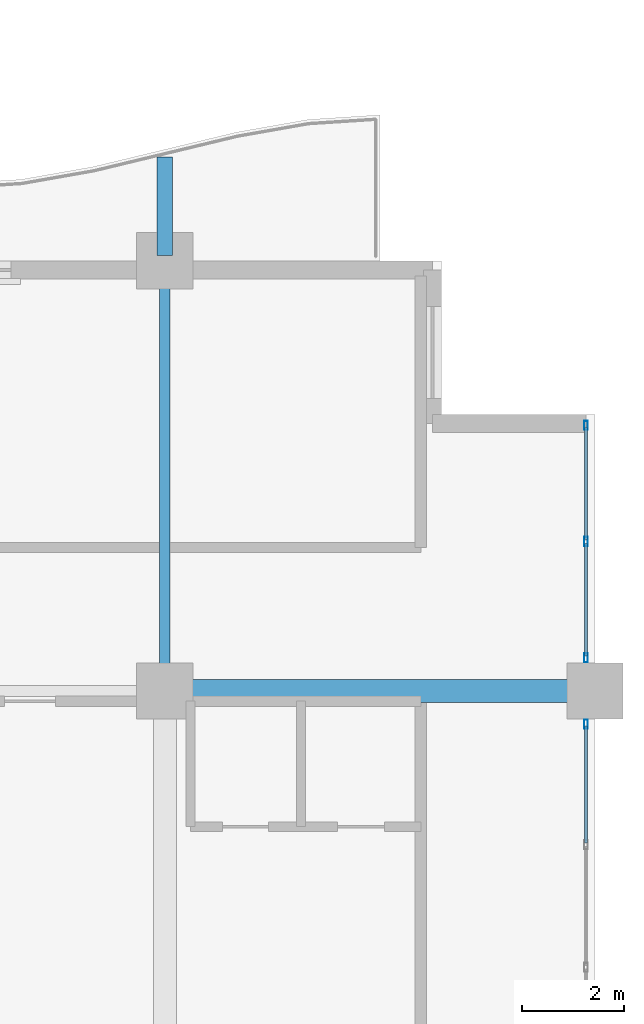
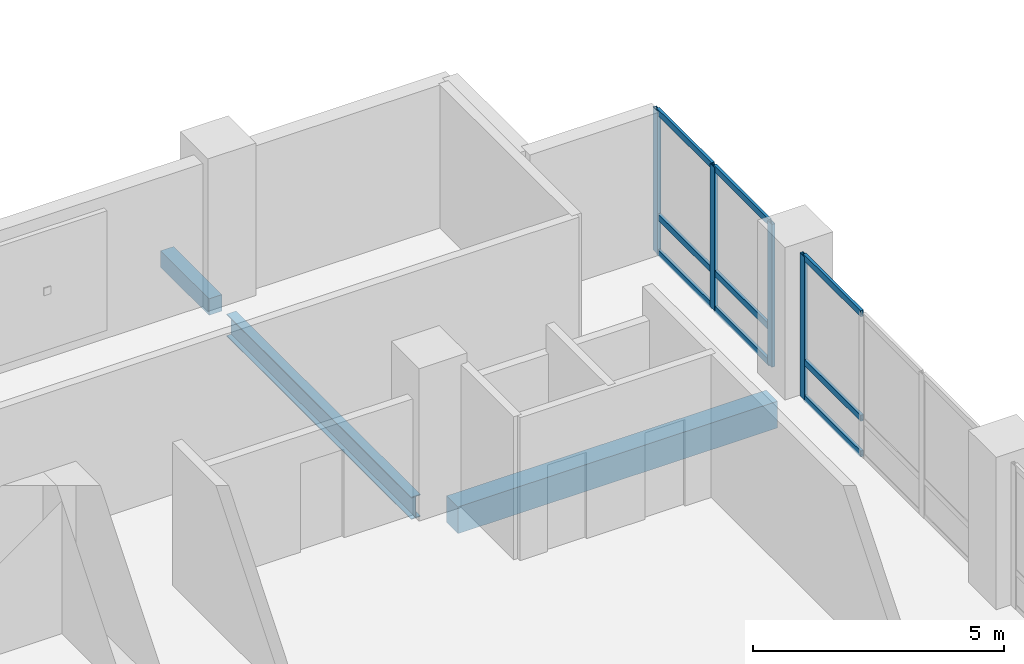
# One storey, part 7 of 22: 13 members, 3 beams, 2 elements without a shape of their own.
"""IFC4 building model written with IfcOpenShell, lengths in metres."""

from ifc_helpers import new_model, si_unit, direction, frame, origin, origin_2d, place, context, subcontext, project, spatial, rectangle, hollow_rectangle, i_section, extrude, material, layer, layer_set, material_profile, profile_set, type_object, element, aggregate, save


model = new_model("IFC4")

# Units and contexts
model_context = context("Model", 3, precision=1e-05, world=origin(), true_north=direction((0.0, 1.0)))
body_context = subcontext(model_context, "Body", "Model", "MODEL_VIEW")
ifc_project = project(units=[si_unit("LENGTHUNIT", "METRE"), si_unit("AREAUNIT", "SQUARE_METRE"), si_unit("VOLUMEUNIT", "CUBIC_METRE"), si_unit("PLANEANGLEUNIT", "RADIAN"), si_unit("MASSUNIT", "GRAM", prefix="KILO")], contexts=[model_context])

# Site, building, storey
site_placement = place(None, origin())
site = spatial("IfcSite", under=ifc_project, at=site_placement, CompositionType="ELEMENT")
building_placement = place(site_placement, origin())
building = spatial("IfcBuilding", under=site, at=building_placement, Name="Koriwani Terraces Tower", CompositionType="ELEMENT")
storey_placement = place(building_placement, frame((0.0, 0.0, 168.0)))
storey = spatial("IfcBuildingStorey", under=building, at=storey_placement, Name="L40", CompositionType="ELEMENT", Elevation=168.0)

# Beams
ifc_material_1 = material(Name="Concrete C40/50", Category="concrete")
ifc_material_profile_1 = material_profile(ifc_material_1, rectangle(XDim=0.300048828125, YDim=0.39990234375, at=origin_2d()), Name="Concrete C40/50", Category="LoadBearing")
ifc_profile_set_1 = profile_set([ifc_material_profile_1], Name="Concrete C40/50")
beam_type_1 = type_object("IfcBeamType", Name="BEAM_RC_BALCONY_RIB_300X400", PredefinedType="JOIST", material=ifc_profile_set_1)
beam_1_placement = place(storey_placement, frame((67.199951171875, 33.699951171875, -0.429931640625), z_axis=(0.0, 1.0, 0.0), x_axis=(-1.0, 0.0, 0.0)))
element("IfcBeam", 1, at=beam_1_placement, inside=storey, type_object=beam_type_1, Name="L40 Balcony Bracket Rib NE-4", PredefinedType="JOIST", context=body_context, shape_type="SweptSolid", body=[
    extrude(rectangle(XDim=0.300048828125, YDim=0.39990234375, at=origin_2d()), origin(), (0.0, 0.0, 1.0), 1.925048828125),
])
ifc_material_2 = material(Name="Concrete C50/60", Category="concrete")
ifc_material_profile_2 = material_profile(ifc_material_2, rectangle(XDim=0.449951171875, YDim=0.64990234375, at=origin_2d()), Name="Concrete C50/60", Category="LoadBearing")
ifc_profile_set_2 = profile_set([ifc_material_profile_2], Name="Concrete C50/60")
beam_type_2 = type_object("IfcBeamType", Name="BEAM_RC_GRID_450X650", PredefinedType="BEAM", material=ifc_profile_set_2)
beam_2_placement = place(storey_placement, frame((67.72998046875, 25.199951171875, -0.554931640625), z_axis=(1.0, 0.0, 0.0), x_axis=(0.0, 1.0, 0.0)))
element("IfcBeam", 2, at=beam_2_placement, inside=storey, type_object=beam_type_2, Name="L40 Grid Beam D (67.2-75.6m)", PredefinedType="BEAM", context=body_context, shape_type="SweptSolid", body=[
    extrude(rectangle(XDim=0.449951171875, YDim=0.64990234375, at=origin_2d()), origin(), (0.0, 0.0, 1.0), 7.340087890625),
])

# Curtain wall, members
ifc_material_3 = material(Name="Anodised Bronze Aluminium", Category="aluminium")
ifc_layer = layer(ifc_material_3, 0.169921875, Name="Anodised Bronze Aluminium")
ifc_layer_set = layer_set([ifc_layer], Name="Anodised Bronze Aluminium")
curtain_wall_type = type_object("IfcCurtainWallType", Name="CW_RES_ZONE3", PredefinedType="NOTDEFINED", material=ifc_layer_set)
curtain_wall_1_placement = place(storey_placement, origin())
curtain_wall_1 = element("IfcCurtainWall", 3, at=curtain_wall_1_placement, inside=storey, type_object=curtain_wall_type, Name="L40 Unitised Curtain Wall (E_TIP) Bay 1", PredefinedType="NOTDEFINED")
ifc_material_profile_3 = material_profile(ifc_material_3, hollow_rectangle(XDim=0.074951171875, YDim=0.179931640625, WallThickness=0.006103515625, at=origin_2d()), Name="Anodised Bronze Aluminium", Category="LoadBearing")
ifc_profile_set_3 = profile_set([ifc_material_profile_3], Name="Anodised Bronze Aluminium")
member_type_1 = type_object("IfcMemberType", Name="CW_MULLION_180X75", PredefinedType="MULLION", material=ifc_profile_set_3)
member_1_placement = place(storey_placement, frame((75.425048828125, 30.387451171875, 0.0), z_axis=(0.0, 0.0, 1.0), x_axis=(1.0, 0.0, 0.0)))
member_1 = element("IfcMember", 4, at=member_1_placement, type_object=member_type_1, Name="CW-Z3 mullion 1", PredefinedType="MULLION", context=body_context, shape_type="SweptSolid", body=[
    extrude(hollow_rectangle(XDim=0.074951171875, YDim=0.179931640625, WallThickness=0.006103515625, at=origin_2d()), origin(), (0.0, 0.0, 1.0), 3.469970703125),
])
member_2_placement = place(storey_placement, frame((75.425048828125, 28.117431640625, 0.0), z_axis=(0.0, 0.0, 1.0), x_axis=(1.0, 0.0, 0.0)))
member_2 = element("IfcMember", 5, at=member_2_placement, type_object=member_type_1, Name="CW-Z3 mullion 2", PredefinedType="MULLION", context=body_context, shape_type="SweptSolid", body=[
    extrude(hollow_rectangle(XDim=0.074951171875, YDim=0.179931640625, WallThickness=0.006103515625, at=origin_2d()), origin(), (0.0, 0.0, 1.0), 3.469970703125),
])
member_3_placement = place(storey_placement, frame((75.425048828125, 25.847412109375, 0.0), z_axis=(0.0, 0.0, 1.0), x_axis=(1.0, 0.0, 0.0)))
member_3 = element("IfcMember", 6, at=member_3_placement, type_object=member_type_1, Name="CW-Z3 mullion 3", PredefinedType="MULLION", context=body_context, shape_type="SweptSolid", body=[
    extrude(hollow_rectangle(XDim=0.074951171875, YDim=0.179931640625, WallThickness=0.006103515625, at=origin_2d()), origin(), (0.0, 0.0, 1.0), 3.469970703125),
])

# Curtain wall, member
curtain_wall_2_placement = place(storey_placement, origin())
curtain_wall_2 = element("IfcCurtainWall", 7, at=curtain_wall_2_placement, inside=storey, type_object=curtain_wall_type, Name="L40 Unitised Curtain Wall (E_TIP) Bay 2", PredefinedType="NOTDEFINED")
member_4_placement = place(storey_placement, frame((75.425048828125, 24.552490234375, 0.0), z_axis=(0.0, 0.0, 1.0), x_axis=(1.0, 0.0, 0.0)))
member_4 = element("IfcMember", 8, at=member_4_placement, type_object=member_type_1, Name="CW-Z3 mullion 1", PredefinedType="MULLION", context=body_context, shape_type="SweptSolid", body=[
    extrude(hollow_rectangle(XDim=0.074951171875, YDim=0.179931640625, WallThickness=0.006103515625, at=origin_2d()), origin(), (0.0, 0.0, 1.0), 3.469970703125),
])

# Member
ifc_material_profile_4 = material_profile(ifc_material_3, hollow_rectangle(XDim=0.06494140625, YDim=0.14990234375, WallThickness=0.0048828125, at=origin_2d()), Name="Anodised Bronze Aluminium", Category="LoadBearing")
ifc_profile_set_4 = profile_set([ifc_material_profile_4], Name="Anodised Bronze Aluminium")
member_type_2 = type_object("IfcMemberType", Name="CW_TRANSOM_150X65", PredefinedType="USERDEFINED", material=ifc_profile_set_4)
member_5_placement = place(storey_placement, frame((75.425048828125, 30.35009765625, 0.032470703125), z_axis=(0.0, -1.0, 0.0), x_axis=(1.0, 0.0, 0.0)))
member_5 = element("IfcMember", 9, at=member_5_placement, type_object=member_type_2, Name="CW-Z3 transom 1.1", ObjectType="TRANSOM", PredefinedType="USERDEFINED", context=body_context, shape_type="SweptSolid", body=[
    extrude(hollow_rectangle(XDim=0.06494140625, YDim=0.14990234375, WallThickness=0.0048828125, at=origin_2d()), origin(), (0.0, 0.0, 1.0), 2.195068359375),
])

member_6_placement = place(storey_placement, frame((75.425048828125, 30.35009765625, 0.89990234375), z_axis=(0.0, -1.0, 0.0), x_axis=(1.0, 0.0, 0.0)))
member_6 = element("IfcMember", 10, at=member_6_placement, type_object=member_type_2, Name="CW-Z3 transom 1.2", ObjectType="TRANSOM", PredefinedType="USERDEFINED", context=body_context, shape_type="SweptSolid", body=[
    extrude(hollow_rectangle(XDim=0.06494140625, YDim=0.14990234375, WallThickness=0.0048828125, at=origin_2d()), origin(), (0.0, 0.0, 1.0), 2.195068359375),
])

member_7_placement = place(storey_placement, frame((75.425048828125, 30.35009765625, 3.4375), z_axis=(0.0, -1.0, 0.0), x_axis=(1.0, 0.0, 0.0)))
member_7 = element("IfcMember", 11, at=member_7_placement, type_object=member_type_2, Name="CW-Z3 transom 1.3", ObjectType="TRANSOM", PredefinedType="USERDEFINED", context=body_context, shape_type="SweptSolid", body=[
    extrude(hollow_rectangle(XDim=0.06494140625, YDim=0.14990234375, WallThickness=0.0048828125, at=origin_2d()), origin(), (0.0, 0.0, 1.0), 2.195068359375),
])

member_8_placement = place(storey_placement, frame((75.425048828125, 28.080078125, 0.032470703125), z_axis=(0.0, -1.0, 0.0), x_axis=(1.0, 0.0, 0.0)))
member_8 = element("IfcMember", 12, at=member_8_placement, type_object=member_type_2, Name="CW-Z3 transom 2.1", ObjectType="TRANSOM", PredefinedType="USERDEFINED", context=body_context, shape_type="SweptSolid", body=[
    extrude(hollow_rectangle(XDim=0.06494140625, YDim=0.14990234375, WallThickness=0.0048828125, at=origin_2d()), origin(), (0.0, 0.0, 1.0), 2.195068359375),
])

member_9_placement = place(storey_placement, frame((75.425048828125, 28.080078125, 0.89990234375), z_axis=(0.0, -1.0, 0.0), x_axis=(1.0, 0.0, 0.0)))
member_9 = element("IfcMember", 13, at=member_9_placement, type_object=member_type_2, Name="CW-Z3 transom 2.2", ObjectType="TRANSOM", PredefinedType="USERDEFINED", context=body_context, shape_type="SweptSolid", body=[
    extrude(hollow_rectangle(XDim=0.06494140625, YDim=0.14990234375, WallThickness=0.0048828125, at=origin_2d()), origin(), (0.0, 0.0, 1.0), 2.195068359375),
])

member_10_placement = place(storey_placement, frame((75.425048828125, 28.080078125, 3.4375), z_axis=(0.0, -1.0, 0.0), x_axis=(1.0, 0.0, 0.0)))
member_10 = element("IfcMember", 14, at=member_10_placement, type_object=member_type_2, Name="CW-Z3 transom 2.3", ObjectType="TRANSOM", PredefinedType="USERDEFINED", context=body_context, shape_type="SweptSolid", body=[
    extrude(hollow_rectangle(XDim=0.06494140625, YDim=0.14990234375, WallThickness=0.0048828125, at=origin_2d()), origin(), (0.0, 0.0, 1.0), 2.195068359375),
])

aggregate(curtain_wall_1, [member_1, member_2, member_3, member_5, member_6, member_7, member_8, member_9, member_10])

member_11_placement = place(storey_placement, frame((75.425048828125, 24.514892578125, 0.032470703125), z_axis=(0.0, -1.0, 0.0), x_axis=(1.0, 0.0, 0.0)))
member_11 = element("IfcMember", 15, at=member_11_placement, type_object=member_type_2, Name="CW-Z3 transom 1.1", ObjectType="TRANSOM", PredefinedType="USERDEFINED", context=body_context, shape_type="SweptSolid", body=[
    extrude(hollow_rectangle(XDim=0.06494140625, YDim=0.14990234375, WallThickness=0.0048828125, at=origin_2d()), origin(), (0.0, 0.0, 1.0), 2.28076171875),
])

member_12_placement = place(storey_placement, frame((75.425048828125, 24.514892578125, 0.89990234375), z_axis=(0.0, -1.0, 0.0), x_axis=(1.0, 0.0, 0.0)))
member_12 = element("IfcMember", 16, at=member_12_placement, type_object=member_type_2, Name="CW-Z3 transom 1.2", ObjectType="TRANSOM", PredefinedType="USERDEFINED", context=body_context, shape_type="SweptSolid", body=[
    extrude(hollow_rectangle(XDim=0.06494140625, YDim=0.14990234375, WallThickness=0.0048828125, at=origin_2d()), origin(), (0.0, 0.0, 1.0), 2.28076171875),
])

member_13_placement = place(storey_placement, frame((75.425048828125, 24.514892578125, 3.4375), z_axis=(0.0, -1.0, 0.0), x_axis=(1.0, 0.0, 0.0)))
member_13 = element("IfcMember", 17, at=member_13_placement, type_object=member_type_2, Name="CW-Z3 transom 1.3", ObjectType="TRANSOM", PredefinedType="USERDEFINED", context=body_context, shape_type="SweptSolid", body=[
    extrude(hollow_rectangle(XDim=0.06494140625, YDim=0.14990234375, WallThickness=0.0048828125, at=origin_2d()), origin(), (0.0, 0.0, 1.0), 2.28076171875),
])

aggregate(curtain_wall_2, [member_4, member_11, member_12, member_13])

# Beam
ifc_material_4 = material(Name="Steel ASTM A572 Grade 50", Category="steel")
ifc_material_profile_5 = material_profile(ifc_material_4, i_section(OverallWidth=0.2119140625, OverallDepth=0.54296875, WebThickness=0.0126953125, FlangeThickness=0.021240234375, at=origin_2d()), Name="Steel ASTM A572 Grade 50", Category="LoadBearing")
ifc_profile_set_5 = profile_set([ifc_material_profile_5], Name="Steel ASTM A572 Grade 50")
beam_type_3 = type_object("IfcBeamType", Name="STEEL_BEAM_W530X150", PredefinedType="BEAM", material=ifc_profile_set_5)
beam_3_placement = place(storey_placement, frame((67.199951171875, 25.72998046875, -0.50146484375), z_axis=(0.0, 1.0, 0.0), x_axis=(-1.0, 0.0, 0.0)))
element("IfcBeam", 18, at=beam_3_placement, inside=storey, type_object=beam_type_3, Name="L40 Grid Beam 9 (25.2-33.6m)", PredefinedType="BEAM", context=body_context, shape_type="SweptSolid", body=[
    extrude(i_section(OverallWidth=0.2119140625, OverallDepth=0.54296875, WebThickness=0.0126953125, FlangeThickness=0.021240234375, at=origin_2d()), origin(), (0.0, 0.0, 1.0), 7.340087890625),
])

save(model, "model.ifc")
